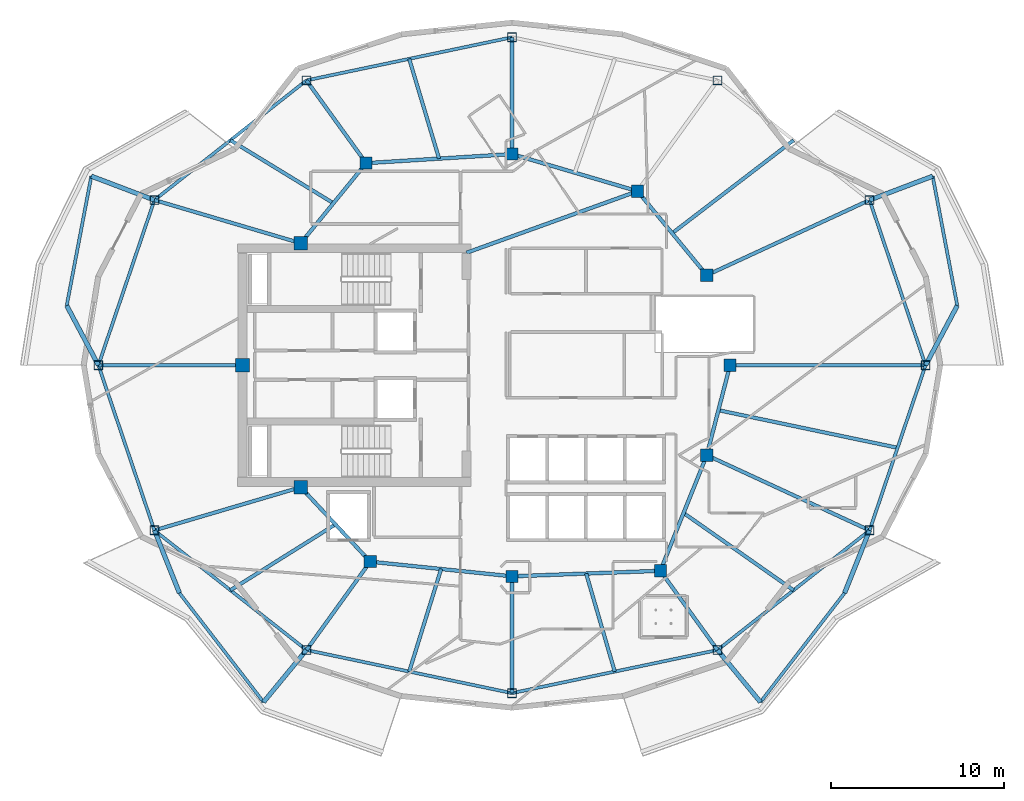
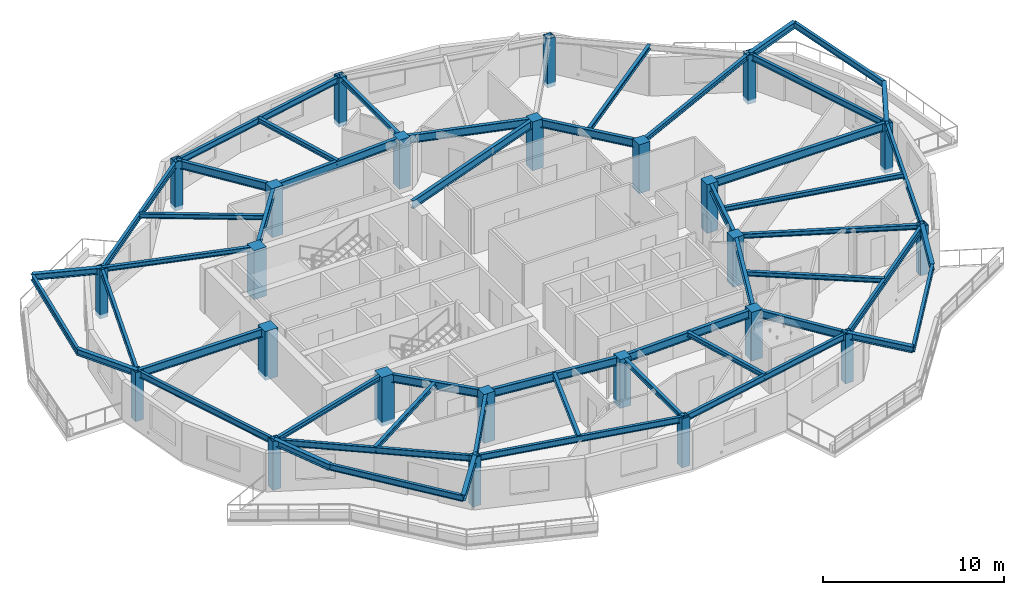
# One storey, part 1 of 13: 51 beams, 24 columns.
"""IFC4 building model written with IfcOpenShell, lengths in metres."""

from ifc_helpers import new_model, si_unit, direction, frame, origin, origin_2d, place, context, subcontext, project, spatial, rectangle, hollow_rectangle, i_section, extrude, material, material_profile, profile_set, type_object, element, save


model = new_model("IFC4")

# Units and contexts
model_context = context("Model", 3, precision=1e-05, world=origin(), true_north=direction((0.0, 1.0)))
body_context = subcontext(model_context, "Body", "Model", "MODEL_VIEW")
ifc_project = project(units=[si_unit("LENGTHUNIT", "METRE"), si_unit("AREAUNIT", "SQUARE_METRE"), si_unit("VOLUMEUNIT", "CUBIC_METRE"), si_unit("PLANEANGLEUNIT", "RADIAN"), si_unit("MASSUNIT", "GRAM", prefix="KILO")], contexts=[model_context])

# Site, building, storey
site_placement = place(None, origin())
site = spatial("IfcSite", under=ifc_project, at=site_placement, CompositionType="ELEMENT")
building_placement = place(site_placement, origin())
building = spatial("IfcBuilding", under=site, at=building_placement, Name="Kolvaren Gate Tower and Convention Centre", CompositionType="ELEMENT")
storey_placement = place(building_placement, frame((0.0, 0.0, 196.39990234375)))
storey = spatial("IfcBuildingStorey", under=building, at=storey_placement, Name="L51", CompositionType="ELEMENT", Elevation=196.39990234375)

# Columns
ifc_material_1 = material(Name="Structural steel ASTM A500 Grade C 345 MPa", Category="steel")
ifc_material_profile_1 = material_profile(ifc_material_1, hollow_rectangle(XDim=0.508056640625, YDim=0.508056640625, WallThickness=0.01904296875, at=origin_2d()), Name="HSS508X508X19.1")
ifc_profile_set_1 = profile_set([ifc_material_profile_1], Name="Structural steel ASTM A500 Grade C 345 MPa")
column_type_1 = type_object("IfcColumnType", Name="STR-COL-HSS508", PredefinedType="COLUMN", material=ifc_profile_set_1)
for number, where, z_axis, x_axis, name in (
    (1, (54.02490234375, 27.0, -0.27001953125), (0.0, 0.0, 1.0), (1.0, 0.0, 0.0), "Tower L51 Perimeter Supercolumn TP-01"),
    (2, (50.787353515625, 36.543701171875, -0.27001953125), (0.0, 0.0, 1.0), (1.0, 0.0, 0.0), "Tower L51 Perimeter Supercolumn TP-02"),
    (3, (42.002685546875, 43.4580078125, -0.27001953125), (0.0, 0.0, 1.0), (1.0, 0.0, 0.0), "Tower L51 Perimeter Supercolumn TP-03"),
    (4, (30.125, 45.949951171875, -0.27001953125), (0.0, 0.0, 1.0), (1.0, 0.0, 0.0), "Tower L51 Perimeter Supercolumn TP-04"),
    (5, (18.247314453125, 43.4580078125, -0.27001953125), (0.0, 0.0, 1.0), (1.0, 0.0, 0.0), "Tower L51 Perimeter Supercolumn TP-05"),
    (6, (9.462646484375, 36.543701171875, -0.27001953125), (0.0, 0.0, 1.0), (1.0, 0.0, 0.0), "Tower L51 Perimeter Supercolumn TP-06"),
    (7, (6.22509765625, 27.0, -0.27001953125), (0.0, 0.0, 1.0), (1.0, 0.0, 0.0), "Tower L51 Perimeter Supercolumn TP-07"),
    (8, (9.462646484375, 17.456298828125, -0.27001953125), (0.0, 0.0, 1.0), (1.0, 0.0, 0.0), "Tower L51 Perimeter Supercolumn TP-08"),
    (9, (18.247314453125, 10.5419921875, -0.27001953125), (0.0, 0.0, 1.0), (1.0, 0.0, 0.0), "Tower L51 Perimeter Supercolumn TP-09"),
    (10, (30.125, 8.050048828125, -0.27001953125), (0.0, 0.0, 1.0), (1.0, 0.0, 0.0), "Tower L51 Perimeter Supercolumn TP-10"),
    (11, (42.002685546875, 10.5419921875, -0.27001953125), (0.0, 0.0, 1.0), (1.0, 0.0, 0.0), "Tower L51 Perimeter Supercolumn TP-11"),
    (12, (50.787353515625, 17.456298828125, -0.27001953125), (0.0, 0.0, 1.0), (1.0, 0.0, 0.0), "Tower L51 Perimeter Supercolumn TP-12"),
):
    element("IfcColumn", number, at=place(storey_placement, frame(where, z_axis=z_axis, x_axis=x_axis)), inside=storey, type_object=column_type_1, Name=name, PredefinedType="COLUMN", context=body_context, shape_type="SweptSolid", body=[
        extrude(hollow_rectangle(XDim=0.508056640625, YDim=0.508056640625, WallThickness=0.01904296875, at=origin_2d()), origin(), (0.0, 0.0, 1.0), 3.300048828125),
    ])
ifc_material_2 = material(Name="Concrete C50/60", Category="concrete")
ifc_material_profile_2 = material_profile(ifc_material_2, rectangle(XDim=0.699951171875, YDim=0.699951171875, at=origin_2d()), Name="RC-COL-700X700")
ifc_profile_set_2 = profile_set([ifc_material_profile_2], Name="Concrete C50/60")
column_type_2 = type_object("IfcColumnType", Name="STR-COL-RC700", PredefinedType="COLUMN", material=ifc_profile_set_2)
for number, where, z_axis, x_axis, name in (
    (13, (42.72509765625, 27.0, -0.27001953125), (0.0, 0.0, 1.0), (1.0, 0.0, 0.0), "Tower L51 Interior Column TI-01"),
    (14, (41.382080078125, 32.199462890625, -0.27001953125), (0.0, 0.0, 1.0), (1.0, 0.0, 0.0), "Tower L51 Interior Column TI-02"),
    (15, (37.381591796875, 37.054931640625, -0.27001953125), (0.0, 0.0, 1.0), (1.0, 0.0, 0.0), "Tower L51 Interior Column TI-03"),
    (16, (30.125, 39.199951171875, -0.27001953125), (0.0, 0.0, 1.0), (1.0, 0.0, 0.0), "Tower L51 Interior Column TI-04"),
    (17, (21.697998046875, 38.6767578125, -0.27001953125), (0.0, 0.0, 1.0), (1.0, 0.0, 0.0), "Tower L51 Interior Column TI-05"),
    (18, (21.93212890625, 15.647705078125, -0.27001953125), (0.0, 0.0, 1.0), (1.0, 0.0, 0.0), "Tower L51 Interior Column TI-06"),
    (19, (30.125, 14.800048828125, -0.27001953125), (0.0, 0.0, 1.0), (1.0, 0.0, 0.0), "Tower L51 Interior Column TI-07"),
    (20, (38.6982421875, 15.12060546875, -0.27001953125), (0.0, 0.0, 1.0), (1.0, 0.0, 0.0), "Tower L51 Interior Column TI-08"),
    (21, (41.382080078125, 21.800537109375, -0.27001953125), (0.0, 0.0, 1.0), (1.0, 0.0, 0.0), "Tower L51 Interior Column TI-09"),
):
    element("IfcColumn", number, at=place(storey_placement, frame(where, z_axis=z_axis, x_axis=x_axis)), inside=storey, type_object=column_type_2, Name=name, PredefinedType="COLUMN", context=body_context, shape_type="SweptSolid", body=[
        extrude(rectangle(XDim=0.699951171875, YDim=0.699951171875, at=origin_2d()), origin(), (0.0, 0.0, 1.0), 3.300048828125),
    ])
ifc_material_3 = material(Name="Concrete C60/75", Category="concrete")
ifc_material_profile_3 = material_profile(ifc_material_3, rectangle(XDim=0.800048828125, YDim=0.800048828125, at=origin_2d()), Name="RC-COL-800X800")
ifc_profile_set_3 = profile_set([ifc_material_profile_3], Name="Concrete C60/75")
column_type_3 = type_object("IfcColumnType", Name="STR-PIL-RC800", PredefinedType="PILASTER", material=ifc_profile_set_3)
for number, where, z_axis, x_axis, name in (
    (22, (17.9140625, 34.050048828125, -0.27001953125), (0.0, 0.0, 1.0), (1.0, 0.0, 0.0), "Tower L51 Core Boundary Pilaster TC-05"),
    (23, (14.550048828125, 27.0, -0.27001953125), (0.0, 0.0, 1.0), (1.0, 0.0, 0.0), "Tower L51 Core Boundary Pilaster TC-06"),
    (24, (17.9140625, 19.949951171875, -0.27001953125), (0.0, 0.0, 1.0), (1.0, 0.0, 0.0), "Tower L51 Core Boundary Pilaster TC-07"),
):
    element("IfcColumn", number, at=place(storey_placement, frame(where, z_axis=z_axis, x_axis=x_axis)), inside=storey, type_object=column_type_3, Name=name, PredefinedType="PILASTER", context=body_context, shape_type="SweptSolid", body=[
        extrude(rectangle(XDim=0.800048828125, YDim=0.800048828125, at=origin_2d()), origin(), (0.0, 0.0, 1.0), 3.300048828125),
    ])

# Beams
ifc_material_4 = material(Name="Structural steel ASTM A992 Grade 345 MPa", Category="steel")
ifc_material_profile_4 = material_profile(ifc_material_4, i_section(OverallWidth=0.260009765625, OverallDepth=0.419921875, WebThickness=0.013427734375, FlangeThickness=0.0224609375, at=origin_2d()), Name="W410X132")
ifc_profile_set_4 = profile_set([ifc_material_profile_4], Name="Structural steel ASTM A992 Grade 345 MPa")
beam_type_1 = type_object("IfcBeamType", Name="STR-BM-W410X132", PredefinedType="BEAM", material=ifc_profile_set_4)
for number, where, z_axis, x_axis, name in (
    (25, (54.02490234375, 27.0, 2.820556640625), (0.469557949111, 0.882901655014, 0.0), (-0.882901655014, 0.469557949111, 0.0), "Tower L52 Planted Balcony Outrigger Cantilever BC-1A"),
    (26, (50.787353515625, 36.543701171875, 2.820556640625), (0.935223524141, 0.354057848229, 0.0), (-0.354057848229, 0.935223524141, 0.0), "Tower L52 Planted Balcony Outrigger Cantilever BC-1B"),
    (27, (9.462646484375, 36.543701171875, 2.820556640625), (-0.935223524141, 0.354057848229, 0.0), (-0.354057848229, -0.935223524141, 0.0), "Tower L52 Planted Balcony Outrigger Cantilever BC-2A"),
    (28, (6.22509765625, 27.0, 2.820556640625), (-0.469557949111, 0.882901655014, 0.0), (-0.882901655014, -0.469557949111, 0.0), "Tower L52 Planted Balcony Outrigger Cantilever BC-2B"),
):
    element("IfcBeam", number, at=place(storey_placement, frame(where, z_axis=z_axis, x_axis=x_axis)), inside=storey, type_object=beam_type_1, Name=name, PredefinedType="BEAM", context=body_context, shape_type="SweptSolid", body=[
        extrude(i_section(OverallWidth=0.260009765625, OverallDepth=0.419921875, WebThickness=0.013427734375, FlangeThickness=0.0224609375, at=origin_2d()), origin(), (0.0, 0.0, 1.0), 3.900146484375),
    ])
for number, where, z_axis, x_axis, name in (
    (29, (9.462646484375, 17.456298828125, 2.820556640625), (0.370926499602, -0.92866222702, 0.0), (0.92866222702, 0.370926499602, 0.0), "Tower L52 Planted Balcony Outrigger Cantilever BC-3A"),
    (30, (18.247314453125, 10.5419921875, 2.820556640625), (-0.636086782115, -0.771617525474, 0.0), (0.771617525474, -0.636086782115, 0.0), "Tower L52 Planted Balcony Outrigger Cantilever BC-3B"),
    (31, (42.002685546875, 10.5419921875, 2.820556640625), (0.636086782115, -0.771617525474, 0.0), (0.771617525474, 0.636086782115, 0.0), "Tower L52 Planted Balcony Outrigger Cantilever BC-4A"),
    (32, (50.787353515625, 17.456298828125, 2.820556640625), (-0.370926499602, -0.92866222702, 0.0), (0.92866222702, -0.370926499602, 0.0), "Tower L52 Planted Balcony Outrigger Cantilever BC-4B"),
):
    element("IfcBeam", number, at=place(storey_placement, frame(where, z_axis=z_axis, x_axis=x_axis)), inside=storey, type_object=beam_type_1, Name=name, PredefinedType="BEAM", context=body_context, shape_type="SweptSolid", body=[
        extrude(i_section(OverallWidth=0.260009765625, OverallDepth=0.419921875, WebThickness=0.013427734375, FlangeThickness=0.0224609375, at=origin_2d()), origin(), (0.0, 0.0, 1.0), 3.89990234375),
    ])
ifc_material_profile_5 = material_profile(ifc_material_4, i_section(OverallWidth=0.2119140625, OverallDepth=0.5439453125, WebThickness=0.01318359375, FlangeThickness=0.021240234375, at=origin_2d()), Name="W530X123")
ifc_profile_set_5 = profile_set([ifc_material_profile_5], Name="Structural steel ASTM A992 Grade 345 MPa")
beam_type_2 = type_object("IfcBeamType", Name="STR-BM-W530X123", PredefinedType="BEAM", material=ifc_profile_set_5)
beam_1_placement = place(storey_placement, frame((42.72509765625, 27.0, 2.758056640625), z_axis=(-0.250091133936, -0.968222301296, 0.0), x_axis=(0.968222301296, -0.250091133936, 0.0)))
element("IfcBeam", 33, at=beam_1_placement, inside=storey, type_object=beam_type_2, Name="Tower L51 Primary Ring Girder G-01", PredefinedType="BEAM", context=body_context, shape_type="SweptSolid", body=[
    extrude(i_section(OverallWidth=0.2119140625, OverallDepth=0.5439453125, WebThickness=0.01318359375, FlangeThickness=0.021240234375, at=origin_2d()), origin(), (0.0, 0.0, 1.0), 5.3701171875),
])
beam_2_placement = place(storey_placement, frame((41.382080078125, 32.199462890625, 2.758056640625), z_axis=(-0.635884066011, 0.771784590798, 0.0), x_axis=(-0.771784590798, -0.635884066011, 0.0)))
element("IfcBeam", 34, at=beam_2_placement, inside=storey, type_object=beam_type_2, Name="Tower L51 Primary Ring Girder G-02", PredefinedType="BEAM", context=body_context, shape_type="SweptSolid", body=[
    extrude(i_section(OverallWidth=0.2119140625, OverallDepth=0.5439453125, WebThickness=0.01318359375, FlangeThickness=0.021240234375, at=origin_2d()), origin(), (0.0, 0.0, 1.0), 6.291259765625),
])
beam_3_placement = place(storey_placement, frame((37.381591796875, 37.054931640625, 2.758056640625), z_axis=(-0.958980837827, 0.283470902706, 0.0), x_axis=(-0.283470902706, -0.958980837827, 0.0)))
element("IfcBeam", 35, at=beam_3_placement, inside=storey, type_object=beam_type_2, Name="Tower L51 Primary Ring Girder G-03", PredefinedType="BEAM", context=body_context, shape_type="SweptSolid", body=[
    extrude(i_section(OverallWidth=0.2119140625, OverallDepth=0.5439453125, WebThickness=0.01318359375, FlangeThickness=0.021240234375, at=origin_2d()), origin(), (0.0, 0.0, 1.0), 7.56689453125),
])
beam_4_placement = place(storey_placement, frame((30.125, 39.199951171875, 2.758056640625), z_axis=(-0.998078258568, -0.06196603726, 0.0), x_axis=(0.06196603726, -0.998078258568, 0.0)))
element("IfcBeam", 36, at=beam_4_placement, inside=storey, type_object=beam_type_2, Name="Tower L51 Primary Ring Girder G-04", PredefinedType="BEAM", context=body_context, shape_type="SweptSolid", body=[
    extrude(i_section(OverallWidth=0.2119140625, OverallDepth=0.5439453125, WebThickness=0.01318359375, FlangeThickness=0.021240234375, at=origin_2d()), origin(), (0.0, 0.0, 1.0), 8.443115234375),
])
beam_5_placement = place(storey_placement, frame((21.697998046875, 38.6767578125, 2.758056640625), z_axis=(-0.633082074904, -0.774084676528, 0.0), x_axis=(0.774084676528, -0.633082074904, 0.0)))
element("IfcBeam", 37, at=beam_5_placement, inside=storey, type_object=beam_type_2, Name="Tower L51 Primary Ring Girder G-05", PredefinedType="BEAM", context=body_context, shape_type="SweptSolid", body=[
    extrude(i_section(OverallWidth=0.2119140625, OverallDepth=0.5439453125, WebThickness=0.01318359375, FlangeThickness=0.021240234375, at=origin_2d()), origin(), (0.0, 0.0, 1.0), 5.97705078125),
])
beam_6_placement = place(storey_placement, frame((17.9140625, 19.949951171875, 2.758056640625), z_axis=(0.682557592987, -0.730831808459, 0.0), x_axis=(0.730831808459, 0.682557592987, 0.0)))
element("IfcBeam", 38, at=beam_6_placement, inside=storey, type_object=beam_type_2, Name="Tower L51 Primary Ring Girder G-06", PredefinedType="BEAM", context=body_context, shape_type="SweptSolid", body=[
    extrude(i_section(OverallWidth=0.2119140625, OverallDepth=0.5439453125, WebThickness=0.01318359375, FlangeThickness=0.021240234375, at=origin_2d()), origin(), (0.0, 0.0, 1.0), 5.88671875),
])
beam_7_placement = place(storey_placement, frame((21.93212890625, 15.647705078125, 2.758056640625), z_axis=(0.994690329115, -0.102913308978, 0.0), x_axis=(0.102913308978, 0.994690329115, 0.0)))
element("IfcBeam", 39, at=beam_7_placement, inside=storey, type_object=beam_type_2, Name="Tower L51 Primary Ring Girder G-07", PredefinedType="BEAM", context=body_context, shape_type="SweptSolid", body=[
    extrude(i_section(OverallWidth=0.2119140625, OverallDepth=0.5439453125, WebThickness=0.01318359375, FlangeThickness=0.021240234375, at=origin_2d()), origin(), (0.0, 0.0, 1.0), 8.236572265625),
])
beam_8_placement = place(storey_placement, frame((30.125, 14.800048828125, 2.758056640625), z_axis=(0.999301712453, 0.037364254142, 0.0), x_axis=(-0.037364254142, 0.999301712453, 0.0)))
element("IfcBeam", 40, at=beam_8_placement, inside=storey, type_object=beam_type_2, Name="Tower L51 Primary Ring Girder G-08", PredefinedType="BEAM", context=body_context, shape_type="SweptSolid", body=[
    extrude(i_section(OverallWidth=0.2119140625, OverallDepth=0.5439453125, WebThickness=0.01318359375, FlangeThickness=0.021240234375, at=origin_2d()), origin(), (0.0, 0.0, 1.0), 8.579345703125),
])
beam_9_placement = place(storey_placement, frame((38.6982421875, 15.12060546875, 2.758056640625), z_axis=(0.372811100169, 0.927907260232, 0.0), x_axis=(-0.927907260232, 0.372811100169, 0.0)))
element("IfcBeam", 41, at=beam_9_placement, inside=storey, type_object=beam_type_2, Name="Tower L51 Primary Ring Girder G-09", PredefinedType="BEAM", context=body_context, shape_type="SweptSolid", body=[
    extrude(i_section(OverallWidth=0.2119140625, OverallDepth=0.5439453125, WebThickness=0.01318359375, FlangeThickness=0.021240234375, at=origin_2d()), origin(), (0.0, 0.0, 1.0), 7.198974609375),
])
beam_10_placement = place(storey_placement, frame((27.5, 33.5, 2.758056640625), z_axis=(0.940961479908, 0.338513653093, 0.0), x_axis=(-0.338513653093, 0.940961479908, 0.0)))
element("IfcBeam", 42, at=beam_10_placement, inside=storey, type_object=beam_type_2, Name="Tower L51 Primary Ring Girder G-10", PredefinedType="BEAM", context=body_context, shape_type="SweptSolid", body=[
    extrude(i_section(OverallWidth=0.2119140625, OverallDepth=0.5439453125, WebThickness=0.01318359375, FlangeThickness=0.021240234375, at=origin_2d()), origin(), (0.0, 0.0, 1.0), 10.501708984375),
])
beam_11_placement = place(storey_placement, frame((42.72509765625, 27.0, 2.758056640625), z_axis=(1.0, 0.0, 0.0), x_axis=(0.0, 1.0, 0.0)))
element("IfcBeam", 43, at=beam_11_placement, inside=storey, type_object=beam_type_2, Name="Tower L51 Radial Floor Girder RB-01", PredefinedType="BEAM", context=body_context, shape_type="SweptSolid", body=[
    extrude(i_section(OverallWidth=0.2119140625, OverallDepth=0.5439453125, WebThickness=0.01318359375, FlangeThickness=0.021240234375, at=origin_2d()), origin(), (0.0, 0.0, 1.0), 11.2998046875),
])
beam_12_placement = place(storey_placement, frame((21.697998046875, 38.6767578125, 2.758056640625), z_axis=(-0.585218406802, 0.810875709552, 0.0), x_axis=(-0.810875709552, -0.585218406802, 0.0)))
element("IfcBeam", 44, at=beam_12_placement, inside=storey, type_object=beam_type_2, Name="Tower L51 Radial Floor Girder RB-05", PredefinedType="BEAM", context=body_context, shape_type="SweptSolid", body=[
    extrude(i_section(OverallWidth=0.2119140625, OverallDepth=0.5439453125, WebThickness=0.01318359375, FlangeThickness=0.021240234375, at=origin_2d()), origin(), (0.0, 0.0, 1.0), 5.896484375),
])
beam_13_placement = place(storey_placement, frame((14.550048828125, 27.0, 2.758056640625), z_axis=(-1.0, 0.0, 0.0), x_axis=(0.0, -1.0, 0.0)))
element("IfcBeam", 45, at=beam_13_placement, inside=storey, type_object=beam_type_2, Name="Tower L51 Radial Floor Girder RB-07", PredefinedType="BEAM", context=body_context, shape_type="SweptSolid", body=[
    extrude(i_section(OverallWidth=0.2119140625, OverallDepth=0.5439453125, WebThickness=0.01318359375, FlangeThickness=0.021240234375, at=origin_2d()), origin(), (0.0, 0.0, 1.0), 8.324951171875),
])
beam_14_placement = place(storey_placement, frame((21.93212890625, 15.647705078125, 2.758056640625), z_axis=(-0.585214462319, -0.810878556316, 0.0), x_axis=(0.810878556316, -0.585214462319, 0.0)))
element("IfcBeam", 46, at=beam_14_placement, inside=storey, type_object=beam_type_2, Name="Tower L51 Radial Floor Girder RB-09", PredefinedType="BEAM", context=body_context, shape_type="SweptSolid", body=[
    extrude(i_section(OverallWidth=0.2119140625, OverallDepth=0.5439453125, WebThickness=0.01318359375, FlangeThickness=0.021240234375, at=origin_2d()), origin(), (0.0, 0.0, 1.0), 6.296630859375),
])
beam_15_placement = place(storey_placement, frame((38.6982421875, 15.12060546875, 2.758056640625), z_axis=(0.585218993275, -0.810875286286, 0.0), x_axis=(0.810875286286, 0.585218993275, 0.0)))
element("IfcBeam", 47, at=beam_15_placement, inside=storey, type_object=beam_type_2, Name="Tower L51 Radial Floor Girder RB-11", PredefinedType="BEAM", context=body_context, shape_type="SweptSolid", body=[
    extrude(i_section(OverallWidth=0.2119140625, OverallDepth=0.5439453125, WebThickness=0.01318359375, FlangeThickness=0.021240234375, at=origin_2d()), origin(), (0.0, 0.0, 1.0), 5.646484375),
])
ifc_material_profile_6 = material_profile(ifc_material_4, i_section(OverallWidth=0.205078125, OverallDepth=0.31005859375, WebThickness=0.009521484375, FlangeThickness=0.016357421875, at=origin_2d()), Name="W310X74")
ifc_profile_set_6 = profile_set([ifc_material_profile_6], Name="Structural steel ASTM A992 Grade 345 MPa")
beam_type_3 = type_object("IfcBeamType", Name="STR-JS-W310X74", PredefinedType="JOIST", material=ifc_profile_set_6)
beam_16_placement = place(storey_placement, frame((41.382080078125, 32.199462890625, 2.875), z_axis=(0.907836575129, 0.419324162025, 0.0), x_axis=(-0.419324162025, 0.907836575129, 0.0)))
element("IfcBeam", 48, at=beam_16_placement, inside=storey, type_object=beam_type_3, Name="Tower L51 Radial Floor Girder RB-02", PredefinedType="JOIST", context=body_context, shape_type="SweptSolid", body=[
    extrude(i_section(OverallWidth=0.205078125, OverallDepth=0.31005859375, WebThickness=0.009521484375, FlangeThickness=0.016357421875, at=origin_2d()), origin(), (0.0, 0.0, 1.0), 10.360107421875),
])
beam_17_placement = place(storey_placement, frame((30.125, 39.199951171875, 2.875), z_axis=(0.0, 1.0, 0.0), x_axis=(-1.0, 0.0, 0.0)))
element("IfcBeam", 49, at=beam_17_placement, inside=storey, type_object=beam_type_3, Name="Tower L51 Radial Floor Girder RB-04", PredefinedType="JOIST", context=body_context, shape_type="SweptSolid", body=[
    extrude(i_section(OverallWidth=0.205078125, OverallDepth=0.31005859375, WebThickness=0.009521484375, FlangeThickness=0.016357421875, at=origin_2d()), origin(), (0.0, 0.0, 1.0), 6.75),
])
for number, where, z_axis, x_axis, name in (
    (50, (17.9140625, 34.050048828125, 2.875), (-0.959121165581, 0.28299574155, 0.0), (-0.28299574155, -0.959121165581, 0.0), "Tower L51 Radial Floor Girder RB-06"),
    (51, (17.9140625, 19.949951171875, 2.875), (-0.959121165581, -0.28299574155, 0.0), (0.28299574155, -0.959121165581, 0.0), "Tower L51 Radial Floor Girder RB-08"),
):
    element("IfcBeam", number, at=place(storey_placement, frame(where, z_axis=z_axis, x_axis=x_axis)), inside=storey, type_object=beam_type_3, Name=name, PredefinedType="JOIST", context=body_context, shape_type="SweptSolid", body=[
        extrude(i_section(OverallWidth=0.205078125, OverallDepth=0.31005859375, WebThickness=0.009521484375, FlangeThickness=0.016357421875, at=origin_2d()), origin(), (0.0, 0.0, 1.0), 8.8115234375),
    ])
beam_18_placement = place(storey_placement, frame((30.125, 14.800048828125, 2.875), z_axis=(0.0, -1.0, 0.0), x_axis=(1.0, 0.0, 0.0)))
element("IfcBeam", 52, at=beam_18_placement, inside=storey, type_object=beam_type_3, Name="Tower L51 Radial Floor Girder RB-10", PredefinedType="JOIST", context=body_context, shape_type="SweptSolid", body=[
    extrude(i_section(OverallWidth=0.205078125, OverallDepth=0.31005859375, WebThickness=0.009521484375, FlangeThickness=0.016357421875, at=origin_2d()), origin(), (0.0, 0.0, 1.0), 6.75),
])
beam_19_placement = place(storey_placement, frame((41.382080078125, 21.800537109375, 2.875), z_axis=(0.907836575129, -0.419324162025, 0.0), x_axis=(0.419324162025, 0.907836575129, 0.0)))
element("IfcBeam", 53, at=beam_19_placement, inside=storey, type_object=beam_type_3, Name="Tower L51 Radial Floor Girder RB-12", PredefinedType="JOIST", context=body_context, shape_type="SweptSolid", body=[
    extrude(i_section(OverallWidth=0.205078125, OverallDepth=0.31005859375, WebThickness=0.009521484375, FlangeThickness=0.016357421875, at=origin_2d()), origin(), (0.0, 0.0, 1.0), 10.360107421875),
])
beam_20_placement = place(storey_placement, frame((39.3818359375, 34.627197265625, 2.875), z_axis=(0.793783340844, 0.608200631205, 0.0), x_axis=(-0.608200631205, 0.793783340844, 0.0)))
element("IfcBeam", 54, at=beam_20_placement, inside=storey, type_object=beam_type_3, Name="Tower L51 Secondary Composite Floor Joist J-02.1", PredefinedType="JOIST", context=body_context, shape_type="SweptSolid", body=[
    extrude(i_section(OverallWidth=0.205078125, OverallDepth=0.31005859375, WebThickness=0.009521484375, FlangeThickness=0.016357421875, at=origin_2d()), origin(), (0.0, 0.0, 1.0), 8.835205078125),
])
beam_21_placement = place(storey_placement, frame((25.91162109375, 38.938232421875, 2.875), z_axis=(-0.286674209033, 0.958028130002, 0.0), x_axis=(-0.958028130002, -0.286674209033, 0.0)))
element("IfcBeam", 55, at=beam_21_placement, inside=storey, type_object=beam_type_3, Name="Tower L51 Secondary Composite Floor Joist J-04.1", PredefinedType="JOIST", context=body_context, shape_type="SweptSolid", body=[
    extrude(i_section(OverallWidth=0.205078125, OverallDepth=0.31005859375, WebThickness=0.009521484375, FlangeThickness=0.016357421875, at=origin_2d()), origin(), (0.0, 0.0, 1.0), 6.0185546875),
])
beam_22_placement = place(storey_placement, frame((19.805908203125, 36.36328125, 2.875), z_axis=(-0.853232509014, 0.52153071392, 0.0), x_axis=(-0.52153071392, -0.853232509014, 0.0)))
element("IfcBeam", 56, at=beam_22_placement, inside=storey, type_object=beam_type_3, Name="Tower L51 Secondary Composite Floor Joist J-05.1", PredefinedType="JOIST", context=body_context, shape_type="SweptSolid", body=[
    extrude(i_section(OverallWidth=0.205078125, OverallDepth=0.31005859375, WebThickness=0.009521484375, FlangeThickness=0.016357421875, at=origin_2d()), origin(), (0.0, 0.0, 1.0), 6.974609375),
])
beam_23_placement = place(storey_placement, frame((19.923095703125, 17.798828125, 2.875), z_axis=(-0.847559309278, -0.530700685186, 0.0), x_axis=(0.530700685186, -0.847559309278, 0.0)))
element("IfcBeam", 57, at=beam_23_placement, inside=storey, type_object=beam_type_3, Name="Tower L51 Secondary Composite Floor Joist J-08.1", PredefinedType="JOIST", context=body_context, shape_type="SweptSolid", body=[
    extrude(i_section(OverallWidth=0.205078125, OverallDepth=0.31005859375, WebThickness=0.009521484375, FlangeThickness=0.016357421875, at=origin_2d()), origin(), (0.0, 0.0, 1.0), 7.159423828125),
])
beam_24_placement = place(storey_placement, frame((26.028564453125, 15.223876953125, 2.875), z_axis=(-0.296776485487, -0.954946971126, 0.0), x_axis=(0.954946971126, -0.296776485487, 0.0)))
element("IfcBeam", 58, at=beam_24_placement, inside=storey, type_object=beam_type_3, Name="Tower L51 Secondary Composite Floor Joist J-09.1", PredefinedType="JOIST", context=body_context, shape_type="SweptSolid", body=[
    extrude(i_section(OverallWidth=0.205078125, OverallDepth=0.31005859375, WebThickness=0.009521484375, FlangeThickness=0.016357421875, at=origin_2d()), origin(), (0.0, 0.0, 1.0), 6.207763671875),
])
beam_25_placement = place(storey_placement, frame((34.41162109375, 14.960205078125, 2.875), z_axis=(0.280001588896, -0.959999536571, 0.0), x_axis=(0.959999536571, 0.280001588896, 0.0)))
element("IfcBeam", 59, at=beam_25_placement, inside=storey, type_object=beam_type_3, Name="Tower L51 Secondary Composite Floor Joist J-10.1", PredefinedType="JOIST", context=body_context, shape_type="SweptSolid", body=[
    extrude(i_section(OverallWidth=0.205078125, OverallDepth=0.31005859375, WebThickness=0.009521484375, FlangeThickness=0.016357421875, at=origin_2d()), origin(), (0.0, 0.0, 1.0), 5.900390625),
])
beam_26_placement = place(storey_placement, frame((40.040283203125, 18.46044921875, 2.875), z_axis=(0.81845266589, -0.574573958423, 0.0), x_axis=(0.574573958423, 0.81845266589, 0.0)))
element("IfcBeam", 60, at=beam_26_placement, inside=storey, type_object=beam_type_3, Name="Tower L51 Secondary Composite Floor Joist J-11.1", PredefinedType="JOIST", context=body_context, shape_type="SweptSolid", body=[
    extrude(i_section(OverallWidth=0.205078125, OverallDepth=0.31005859375, WebThickness=0.009521484375, FlangeThickness=0.016357421875, at=origin_2d()), origin(), (0.0, 0.0, 1.0), 7.764404296875),
])
beam_27_placement = place(storey_placement, frame((42.0537109375, 24.400146484375, 2.875), z_axis=(0.978694513543, -0.205321818519, 0.0), x_axis=(0.205321818519, 0.978694513543, 0.0)))
element("IfcBeam", 61, at=beam_27_placement, inside=storey, type_object=beam_type_3, Name="Tower L51 Secondary Composite Floor Joist J-12.1", PredefinedType="JOIST", context=body_context, shape_type="SweptSolid", body=[
    extrude(i_section(OverallWidth=0.205078125, OverallDepth=0.31005859375, WebThickness=0.009521484375, FlangeThickness=0.016357421875, at=origin_2d()), origin(), (0.0, 0.0, 1.0), 10.577880859375),
])
ifc_material_profile_7 = material_profile(ifc_material_4, i_section(OverallWidth=0.180908203125, OverallDepth=0.4169921875, WebThickness=0.010986328125, FlangeThickness=0.018310546875, at=origin_2d()), Name="W410X85")
ifc_profile_set_7 = profile_set([ifc_material_profile_7], Name="Structural steel ASTM A992 Grade 345 MPa")
beam_type_4 = type_object("IfcBeamType", Name="STR-SP-W410X85", PredefinedType="SPANDREL", material=ifc_profile_set_7)
beam_28_placement = place(storey_placement, frame((54.02490234375, 27.0, 2.821533203125), z_axis=(-0.321252507379, 0.946993572577, 0.0), x_axis=(-0.946993572577, -0.321252507379, 0.0)))
element("IfcBeam", 62, at=beam_28_placement, inside=storey, type_object=beam_type_4, Name="Tower L51 Perimeter Spandrel Beam SP-01", PredefinedType="SPANDREL", context=body_context, shape_type="SweptSolid", body=[
    extrude(i_section(OverallWidth=0.180908203125, OverallDepth=0.4169921875, WebThickness=0.010986328125, FlangeThickness=0.018310546875, at=origin_2d()), origin(), (0.0, 0.0, 1.0), 10.077880859375),
])
beam_29_placement = place(storey_placement, frame((30.125, 45.949951171875, 2.821533203125), z_axis=(-0.978692765917, -0.205330148645, 0.0), x_axis=(0.205330148645, -0.978692765917, 0.0)))
element("IfcBeam", 63, at=beam_29_placement, inside=storey, type_object=beam_type_4, Name="Tower L51 Perimeter Spandrel Beam SP-04", PredefinedType="SPANDREL", context=body_context, shape_type="SweptSolid", body=[
    extrude(i_section(OverallWidth=0.180908203125, OverallDepth=0.4169921875, WebThickness=0.010986328125, FlangeThickness=0.018310546875, at=origin_2d()), origin(), (0.0, 0.0, 1.0), 12.13623046875),
])
beam_30_placement = place(storey_placement, frame((18.247314453125, 43.4580078125, 2.821533203125), z_axis=(-0.78579365551, -0.618488747643, 0.0), x_axis=(0.618488747643, -0.78579365551, 0.0)))
element("IfcBeam", 64, at=beam_30_placement, inside=storey, type_object=beam_type_4, Name="Tower L51 Perimeter Spandrel Beam SP-05", PredefinedType="SPANDREL", context=body_context, shape_type="SweptSolid", body=[
    extrude(i_section(OverallWidth=0.180908203125, OverallDepth=0.4169921875, WebThickness=0.010986328125, FlangeThickness=0.018310546875, at=origin_2d()), origin(), (0.0, 0.0, 1.0), 11.179443359375),
])
for number, where, z_axis, x_axis, name in (
    (65, (9.462646484375, 36.543701171875, 2.821533203125), (-0.321252507379, -0.946993572577, 0.0), (0.946993572577, -0.321252507379, 0.0), "Tower L51 Perimeter Spandrel Beam SP-06"),
    (66, (6.22509765625, 27.0, 2.821533203125), (0.321252507379, -0.946993572577, 0.0), (0.946993572577, 0.321252507379, 0.0), "Tower L51 Perimeter Spandrel Beam SP-07"),
):
    element("IfcBeam", number, at=place(storey_placement, frame(where, z_axis=z_axis, x_axis=x_axis)), inside=storey, type_object=beam_type_4, Name=name, PredefinedType="SPANDREL", context=body_context, shape_type="SweptSolid", body=[
        extrude(i_section(OverallWidth=0.180908203125, OverallDepth=0.4169921875, WebThickness=0.010986328125, FlangeThickness=0.018310546875, at=origin_2d()), origin(), (0.0, 0.0, 1.0), 10.077880859375),
    ])
beam_31_placement = place(storey_placement, frame((9.462646484375, 17.456298828125, 2.821533203125), z_axis=(0.78579365551, -0.618488747643, 0.0), x_axis=(0.618488747643, 0.78579365551, 0.0)))
element("IfcBeam", 67, at=beam_31_placement, inside=storey, type_object=beam_type_4, Name="Tower L51 Perimeter Spandrel Beam SP-08", PredefinedType="SPANDREL", context=body_context, shape_type="SweptSolid", body=[
    extrude(i_section(OverallWidth=0.180908203125, OverallDepth=0.4169921875, WebThickness=0.010986328125, FlangeThickness=0.018310546875, at=origin_2d()), origin(), (0.0, 0.0, 1.0), 11.179443359375),
])
for number, where, z_axis, x_axis, name in (
    (68, (18.247314453125, 10.5419921875, 2.821533203125), (0.978692765917, -0.205330148645, 0.0), (0.205330148645, 0.978692765917, 0.0), "Tower L51 Perimeter Spandrel Beam SP-09"),
    (69, (30.125, 8.050048828125, 2.821533203125), (0.978692765917, 0.205330148645, 0.0), (-0.205330148645, 0.978692765917, 0.0), "Tower L51 Perimeter Spandrel Beam SP-10"),
):
    element("IfcBeam", number, at=place(storey_placement, frame(where, z_axis=z_axis, x_axis=x_axis)), inside=storey, type_object=beam_type_4, Name=name, PredefinedType="SPANDREL", context=body_context, shape_type="SweptSolid", body=[
        extrude(i_section(OverallWidth=0.180908203125, OverallDepth=0.4169921875, WebThickness=0.010986328125, FlangeThickness=0.018310546875, at=origin_2d()), origin(), (0.0, 0.0, 1.0), 12.13623046875),
    ])
beam_32_placement = place(storey_placement, frame((42.002685546875, 10.5419921875, 2.821533203125), z_axis=(0.78579365551, 0.618488747643, 0.0), x_axis=(-0.618488747643, 0.78579365551, 0.0)))
element("IfcBeam", 70, at=beam_32_placement, inside=storey, type_object=beam_type_4, Name="Tower L51 Perimeter Spandrel Beam SP-11", PredefinedType="SPANDREL", context=body_context, shape_type="SweptSolid", body=[
    extrude(i_section(OverallWidth=0.180908203125, OverallDepth=0.4169921875, WebThickness=0.010986328125, FlangeThickness=0.018310546875, at=origin_2d()), origin(), (0.0, 0.0, 1.0), 11.179443359375),
])
beam_33_placement = place(storey_placement, frame((50.787353515625, 17.456298828125, 2.821533203125), z_axis=(0.321252507379, 0.946993572577, 0.0), x_axis=(-0.946993572577, 0.321252507379, 0.0)))
element("IfcBeam", 71, at=beam_33_placement, inside=storey, type_object=beam_type_4, Name="Tower L51 Perimeter Spandrel Beam SP-12", PredefinedType="SPANDREL", context=body_context, shape_type="SweptSolid", body=[
    extrude(i_section(OverallWidth=0.180908203125, OverallDepth=0.4169921875, WebThickness=0.010986328125, FlangeThickness=0.018310546875, at=origin_2d()), origin(), (0.0, 0.0, 1.0), 10.077880859375),
])
for number, where, z_axis, x_axis, name in (
    (72, (55.856201171875, 30.443359375, 2.822021484375), (-0.186655385459, 0.982425451156, 0.0), (-0.982425451156, -0.186655385459, 0.0), "Tower L52 Planted Balcony Header Tie Beam BT-1"),
    (73, (5.815185546875, 37.924560546875, 2.822021484375), (-0.186655385459, -0.982425451156, 0.0), (0.982425451156, -0.186655385459, 0.0), "Tower L52 Planted Balcony Header Tie Beam BT-2"),
):
    element("IfcBeam", number, at=place(storey_placement, frame(where, z_axis=z_axis, x_axis=x_axis)), inside=storey, type_object=beam_type_4, Name=name, PredefinedType="SPANDREL", context=body_context, shape_type="SweptSolid", body=[
        extrude(i_section(OverallWidth=0.180908203125, OverallDepth=0.4169921875, WebThickness=0.010986328125, FlangeThickness=0.018310546875, at=origin_2d()), origin(), (0.0, 0.0, 1.0), 7.614990234375),
    ])
for number, where, z_axis, x_axis, name in (
    (74, (10.9091796875, 13.834716796875, 2.822021484375), (0.61047858823, -0.792032760252, 0.0), (0.792032760252, 0.61047858823, 0.0), "Tower L52 Planted Balcony Header Tie Beam BT-3"),
    (75, (44.4833984375, 7.53271484375, 2.822021484375), (0.61047858823, 0.792032760252, 0.0), (-0.792032760252, 0.61047858823, 0.0), "Tower L52 Planted Balcony Header Tie Beam BT-4"),
):
    element("IfcBeam", number, at=place(storey_placement, frame(where, z_axis=z_axis, x_axis=x_axis)), inside=storey, type_object=beam_type_4, Name=name, PredefinedType="SPANDREL", context=body_context, shape_type="SweptSolid", body=[
        extrude(i_section(OverallWidth=0.180908203125, OverallDepth=0.4169921875, WebThickness=0.010986328125, FlangeThickness=0.018310546875, at=origin_2d()), origin(), (0.0, 0.0, 1.0), 7.956787109375),
    ])

save(model, "model.ifc")
